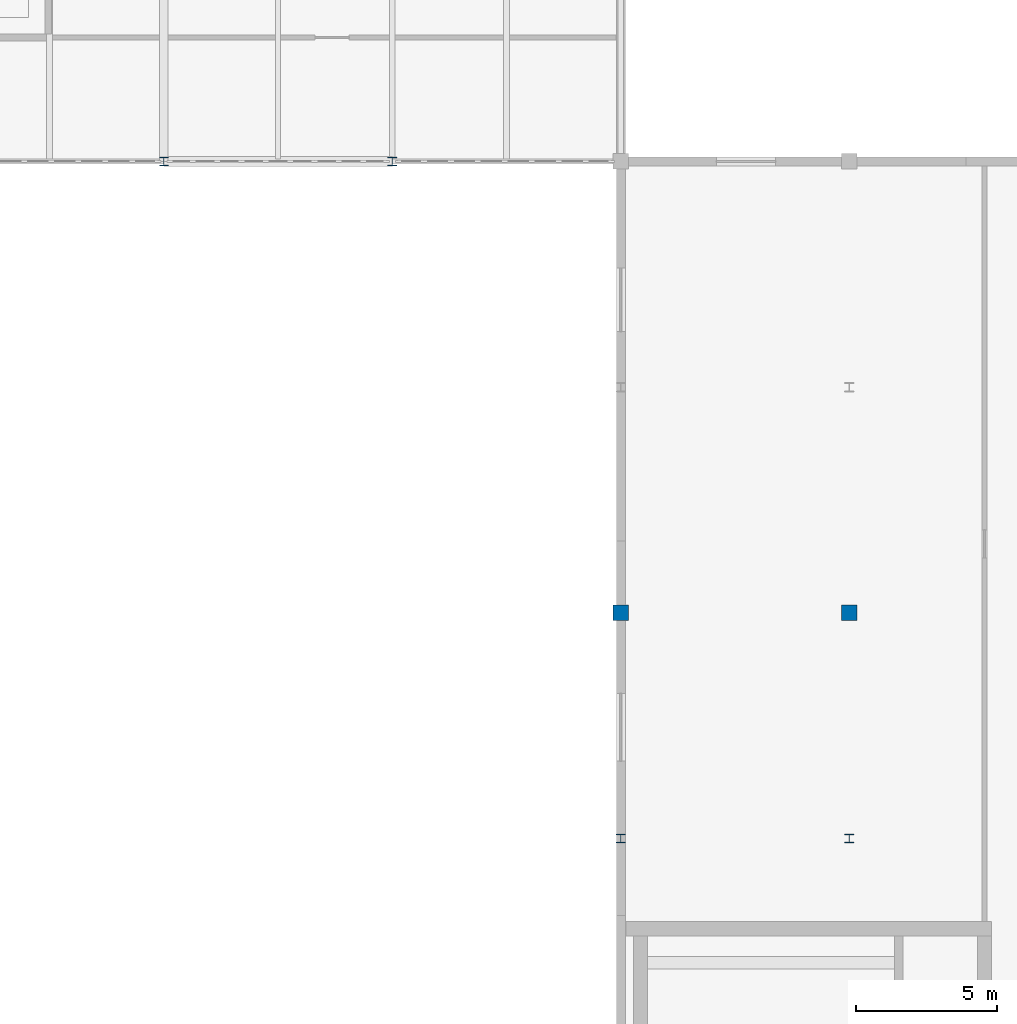
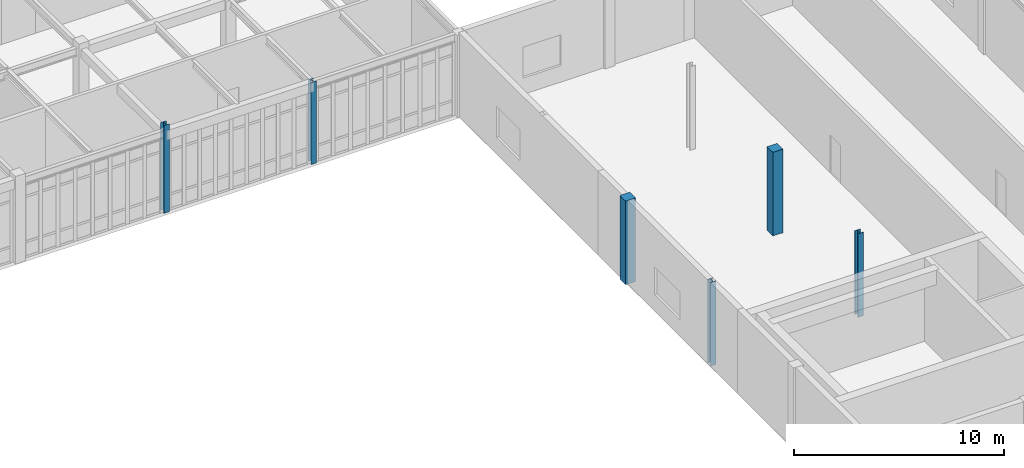
# One storey, part 8 of 70: 6 columns.
"""IFC4 building model written with IfcOpenShell, lengths in metres."""

from ifc_helpers import new_model, si_unit, direction, frame, origin, origin_2d, place, context, subcontext, project, spatial, rectangle, i_section, extrude, material, material_profile, profile_set, type_object, element, save


model = new_model("IFC4")

# Units and contexts
model_context = context("Model", 3, precision=1e-05, world=origin(), true_north=direction((0.0, 1.0)))
body_context = subcontext(model_context, "Body", "Model", "MODEL_VIEW")
ifc_project = project(units=[si_unit("LENGTHUNIT", "METRE"), si_unit("AREAUNIT", "SQUARE_METRE"), si_unit("VOLUMEUNIT", "CUBIC_METRE"), si_unit("PLANEANGLEUNIT", "RADIAN"), si_unit("MASSUNIT", "GRAM", prefix="KILO")], contexts=[model_context])

# Site, building, storey
site_placement = place(None, origin())
site = spatial("IfcSite", under=ifc_project, at=site_placement, CompositionType="ELEMENT")
building_placement = place(site_placement, origin())
building = spatial("IfcBuilding", under=site, at=building_placement, Name="Tarnveldt Square Police Headquarters", CompositionType="ELEMENT")
storey_placement = place(building_placement, frame((0.0, 0.0, 19.800048828125)))
storey = spatial("IfcBuildingStorey", under=building, at=storey_placement, Name="L04", CompositionType="ELEMENT", Elevation=19.800048828125)

# Columns
ifc_material_1 = material(Name="Concrete 40 MPa", Category="concrete")
ifc_material_profile_1 = material_profile(ifc_material_1, rectangle(XDim=0.550048828125, YDim=0.550048828125, at=origin_2d()), Name="RC-C550x550")
ifc_profile_set_1 = profile_set([ifc_material_profile_1], Name="Concrete 40 MPa")
column_type_1 = type_object("IfcColumnType", Name="COL-RC550", PredefinedType="COLUMN", material=ifc_profile_set_1)
for number, where, z_axis, x_axis, name in (
    (1, (105.300048828125, 80.0, 0.0), (0.0, 0.0, 1.0), (1.0, 0.0, 0.0), "L04 Column 148"),
    (2, (113.39990234375, 80.0, 0.0), (0.0, 0.0, 1.0), (1.0, 0.0, 0.0), "L04 Column 158"),
):
    element("IfcColumn", number, at=place(storey_placement, frame(where, z_axis=z_axis, x_axis=x_axis)), inside=storey, type_object=column_type_1, Name=name, PredefinedType="COLUMN", context=body_context, shape_type="SweptSolid", body=[
        extrude(rectangle(XDim=0.550048828125, YDim=0.550048828125, at=origin_2d()), origin(), (0.0, 0.0, 1.0), 4.85986328125),
    ])
ifc_material_2 = material(Name="Steel 350W", Category="steel")
ifc_material_profile_2 = material_profile(ifc_material_2, i_section(OverallWidth=0.304931640625, OverallDepth=0.30810546875, WebThickness=0.010009765625, FlangeThickness=0.015380859375, FilletRadius=0.014892578125, at=origin_2d()), Name="W310x97")
ifc_profile_set_2 = profile_set([ifc_material_profile_2], Name="Steel 350W")
column_type_2 = type_object("IfcColumnType", Name="COL-W310x97", PredefinedType="COLUMN", material=ifc_profile_set_2)
column_1_placement = place(storey_placement, frame((89.10009765625, 96.0, 0.0), z_axis=(0.0, 0.0, 1.0), x_axis=(1.0, 0.0, 0.0)))
element("IfcColumn", 3, at=column_1_placement, inside=storey, type_object=column_type_2, Name="L04 Column 129", PredefinedType="COLUMN", context=body_context, shape_type="SweptSolid", body=[
    extrude(i_section(OverallWidth=0.304931640625, OverallDepth=0.30810546875, WebThickness=0.010009765625, FlangeThickness=0.015380859375, FilletRadius=0.014892578125, at=origin_2d()), origin(), (0.0, 0.0, 1.0), 5.099853515625),
])
column_2_placement = place(storey_placement, frame((97.199951171875, 96.0, 0.0), z_axis=(0.0, 0.0, 1.0), x_axis=(1.0, 0.0, 0.0)))
element("IfcColumn", 4, at=column_2_placement, inside=storey, type_object=column_type_2, Name="L04 Column 139", PredefinedType="COLUMN", context=body_context, shape_type="SweptSolid", body=[
    extrude(i_section(OverallWidth=0.304931640625, OverallDepth=0.30810546875, WebThickness=0.010009765625, FlangeThickness=0.015380859375, FilletRadius=0.014892578125, at=origin_2d()), origin(), (0.0, 0.0, 1.0), 4.760009765625),
])
for number, where, z_axis, x_axis, name in (
    (5, (105.300048828125, 72.0, 0.0), (0.0, 0.0, 1.0), (1.0, 0.0, 0.0), "L04 Column 147"),
    (6, (113.39990234375, 72.0, 0.0), (0.0, 0.0, 1.0), (1.0, 0.0, 0.0), "L04 Column 157"),
):
    element("IfcColumn", number, at=place(storey_placement, frame(where, z_axis=z_axis, x_axis=x_axis)), inside=storey, type_object=column_type_2, Name=name, PredefinedType="COLUMN", context=body_context, shape_type="SweptSolid", body=[
        extrude(i_section(OverallWidth=0.304931640625, OverallDepth=0.30810546875, WebThickness=0.010009765625, FlangeThickness=0.015380859375, FilletRadius=0.014892578125, at=origin_2d()), origin(), (0.0, 0.0, 1.0), 4.85986328125),
    ])

save(model, "model.ifc")
